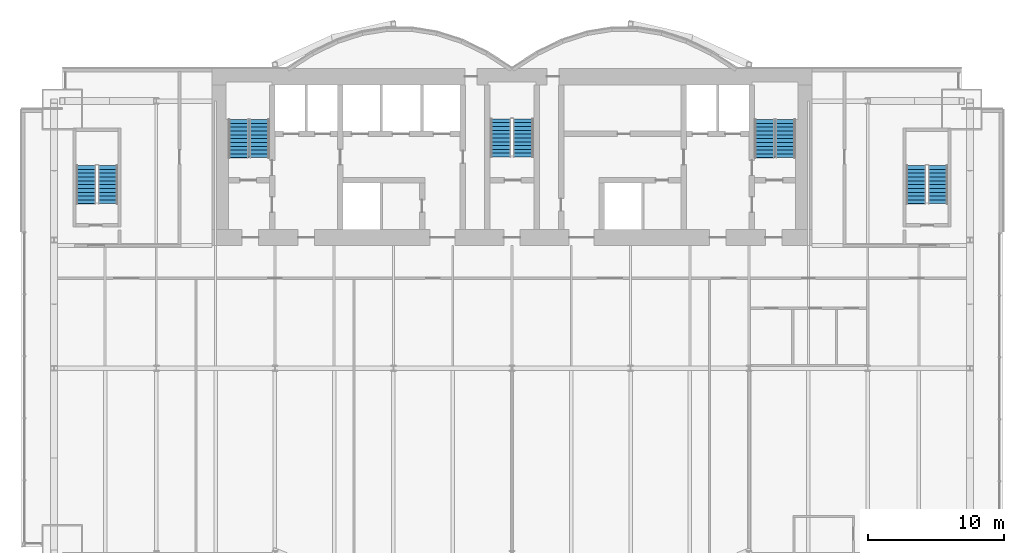
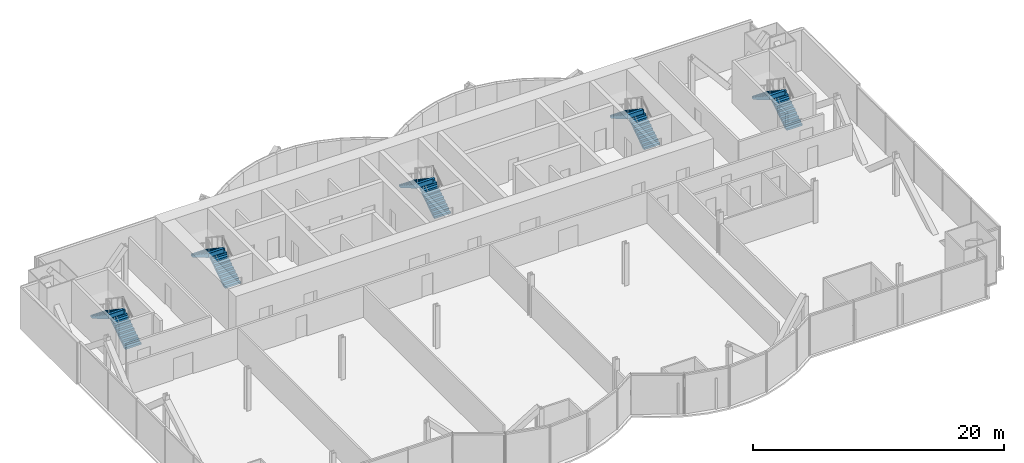
# One storey, part 18 of 21: 10 stair flights, 5 elements without a shape of their own.
"""IFC4 building model written with IfcOpenShell, lengths in metres."""

from ifc_helpers import new_model, si_unit, direction, frame, origin, place, context, subcontext, project, spatial, polyline, outline, extrude, material, type_object, element, aggregate, save


model = new_model("IFC4")

# Units and contexts
model_context = context("Model", 3, precision=1e-05, world=origin(), true_north=direction((0.0, 1.0)))
body_context = subcontext(model_context, "Body", "Model", "MODEL_VIEW")
ifc_project = project(units=[si_unit("LENGTHUNIT", "METRE"), si_unit("AREAUNIT", "SQUARE_METRE"), si_unit("VOLUMEUNIT", "CUBIC_METRE"), si_unit("PLANEANGLEUNIT", "RADIAN"), si_unit("MASSUNIT", "GRAM", prefix="KILO")], contexts=[model_context])

# Site, building, storey
site_placement = place(None, origin())
site = spatial("IfcSite", under=ifc_project, at=site_placement, CompositionType="ELEMENT")
building_placement = place(site_placement, origin())
building = spatial("IfcBuilding", under=site, at=building_placement, Name="Bicima Exchange Tower", CompositionType="ELEMENT")
storey_placement = place(building_placement, frame((0.0, 0.0, 106.300048828125)))
storey = spatial("IfcBuildingStorey", under=building, at=storey_placement, Name="L22", CompositionType="ELEMENT", Elevation=106.300048828125)

# Stair, stair flights
ifc_material = material(Name="Concrete C50/60", Category="concrete")
stair_type_1 = type_object("IfcStairType", Name="Exit stair", PredefinedType="HALF_TURN_STAIR", material=ifc_material)
stair_1_placement = place(storey_placement, origin())
stair_1 = element("IfcStair", 1, at=stair_1_placement, inside=storey, type_object=stair_type_1, Name="L22 West exit stair", PredefinedType="HALF_TURN_STAIR")
stair_flight_type_1 = type_object("IfcStairFlightType", Name="Stair flight RC", PredefinedType="STRAIGHT", material=ifc_material)
stair_flight_1_placement = place(storey_placement, frame((-18.52490234375, -6.550048828125, 0.0), z_axis=(0.0, 0.0, 1.0), x_axis=(0.0, 1.0, 0.0)))
stair_flight_1 = element("IfcStairFlight", 2, at=stair_flight_1_placement, type_object=stair_flight_type_1, Name="ST-W flight 1", NumberOfRisers=11, NumberOfTreads=10, PredefinedType="STRAIGHT", RiserHeight=0.186363636, TreadLength=0.28, context=body_context, shape_type="SweptSolid", body=[
    extrude(outline(polyline([(0.0, 0.0), (0.0, 0.186279296875), (0.280029296875, 0.186279296875), (0.280029296875, 0.372802734375), (0.56005859375, 0.372802734375), (0.56005859375, 0.55908203125), (0.840087890625, 0.55908203125), (0.840087890625, 0.745361328125), (1.1201171875, 0.745361328125), (1.1201171875, 0.931884765625), (1.39990234375, 0.931884765625), (1.39990234375, 1.1181640625), (1.679931640625, 1.1181640625), (1.679931640625, 1.304443359375), (1.9599609375, 1.304443359375), (1.9599609375, 1.490966796875), (2.239990234375, 1.490966796875), (2.239990234375, 1.67724609375), (2.52001953125, 1.67724609375), (2.52001953125, 1.863525390625), (2.800048828125, 1.863525390625), (2.800048828125, 2.050048828125), (2.800048828125, 1.68359375), (0.2705078125, 0.0), (0.0, 0.0)])), frame((0.0, 0.72509765625, 0.0), z_axis=(0.0, -1.0, 0.0), x_axis=(1.0, 0.0, 0.0)), (0.0, 0.0, 1.0), 1.449951171875),
])
stair_flight_2_placement = place(storey_placement, frame((-20.074951171875, -3.75, 2.050048828125), z_axis=(0.0, 0.0, 1.0), x_axis=(0.0, -1.0, 0.0)))
stair_flight_2 = element("IfcStairFlight", 3, at=stair_flight_2_placement, type_object=stair_flight_type_1, Name="ST-W flight 2", NumberOfRisers=11, NumberOfTreads=10, PredefinedType="STRAIGHT", RiserHeight=0.186363636, TreadLength=0.28, context=body_context, shape_type="SweptSolid", body=[
    extrude(outline(polyline([(0.0, 0.0), (0.0, 0.186279296875), (0.280029296875, 0.186279296875), (0.280029296875, 0.372802734375), (0.56005859375, 0.372802734375), (0.56005859375, 0.55908203125), (0.840087890625, 0.55908203125), (0.840087890625, 0.745361328125), (1.1201171875, 0.745361328125), (1.1201171875, 0.931884765625), (1.39990234375, 0.931884765625), (1.39990234375, 1.1181640625), (1.679931640625, 1.1181640625), (1.679931640625, 1.304443359375), (1.9599609375, 1.304443359375), (1.9599609375, 1.490966796875), (2.239990234375, 1.490966796875), (2.239990234375, 1.67724609375), (2.52001953125, 1.67724609375), (2.52001953125, 1.863525390625), (2.800048828125, 1.863525390625), (2.800048828125, 1.904052734375), (2.81494140625, 1.904052734375), (2.81494140625, 1.507080078125), (0.2705078125, 0.0), (0.0, 0.0)])), frame((0.0, 0.72509765625, 0.0), z_axis=(0.0, -1.0, 0.0), x_axis=(1.0, 0.0, 0.0)), (0.0, 0.0, 1.0), 1.449951171875),
])
aggregate(stair_1, [stair_flight_1, stair_flight_2])

stair_2_placement = place(storey_placement, origin())
stair_2 = element("IfcStair", 4, at=stair_2_placement, inside=storey, type_object=stair_type_1, Name="L22 East exit stair", PredefinedType="HALF_TURN_STAIR")
stair_flight_3_placement = place(storey_placement, frame((20.074951171875, -6.550048828125, 0.0), z_axis=(0.0, 0.0, 1.0), x_axis=(0.0, 1.0, 0.0)))
stair_flight_3 = element("IfcStairFlight", 5, at=stair_flight_3_placement, type_object=stair_flight_type_1, Name="ST-E flight 1", NumberOfRisers=11, NumberOfTreads=10, PredefinedType="STRAIGHT", RiserHeight=0.186363636, TreadLength=0.28, context=body_context, shape_type="SweptSolid", body=[
    extrude(outline(polyline([(0.0, 0.0), (0.0, 0.186279296875), (0.280029296875, 0.186279296875), (0.280029296875, 0.372802734375), (0.56005859375, 0.372802734375), (0.56005859375, 0.55908203125), (0.840087890625, 0.55908203125), (0.840087890625, 0.745361328125), (1.1201171875, 0.745361328125), (1.1201171875, 0.931884765625), (1.39990234375, 0.931884765625), (1.39990234375, 1.1181640625), (1.679931640625, 1.1181640625), (1.679931640625, 1.304443359375), (1.9599609375, 1.304443359375), (1.9599609375, 1.490966796875), (2.239990234375, 1.490966796875), (2.239990234375, 1.67724609375), (2.52001953125, 1.67724609375), (2.52001953125, 1.863525390625), (2.800048828125, 1.863525390625), (2.800048828125, 2.050048828125), (2.800048828125, 1.68359375), (0.2705078125, 0.0), (0.0, 0.0)])), frame((0.0, 0.72509765625, 0.0), z_axis=(0.0, -1.0, 0.0), x_axis=(1.0, 0.0, 0.0)), (0.0, 0.0, 1.0), 1.449951171875),
])
stair_flight_4_placement = place(storey_placement, frame((18.52490234375, -3.75, 2.050048828125), z_axis=(0.0, 0.0, 1.0), x_axis=(0.0, -1.0, 0.0)))
stair_flight_4 = element("IfcStairFlight", 6, at=stair_flight_4_placement, type_object=stair_flight_type_1, Name="ST-E flight 2", NumberOfRisers=11, NumberOfTreads=10, PredefinedType="STRAIGHT", RiserHeight=0.186363636, TreadLength=0.28, context=body_context, shape_type="SweptSolid", body=[
    extrude(outline(polyline([(0.0, 0.0), (0.0, 0.186279296875), (0.280029296875, 0.186279296875), (0.280029296875, 0.372802734375), (0.56005859375, 0.372802734375), (0.56005859375, 0.55908203125), (0.840087890625, 0.55908203125), (0.840087890625, 0.745361328125), (1.1201171875, 0.745361328125), (1.1201171875, 0.931884765625), (1.39990234375, 0.931884765625), (1.39990234375, 1.1181640625), (1.679931640625, 1.1181640625), (1.679931640625, 1.304443359375), (1.9599609375, 1.304443359375), (1.9599609375, 1.490966796875), (2.239990234375, 1.490966796875), (2.239990234375, 1.67724609375), (2.52001953125, 1.67724609375), (2.52001953125, 1.863525390625), (2.800048828125, 1.863525390625), (2.800048828125, 1.904052734375), (2.81494140625, 1.904052734375), (2.81494140625, 1.507080078125), (0.2705078125, 0.0), (0.0, 0.0)])), frame((0.0, 0.72509765625, 0.0), z_axis=(0.0, -1.0, 0.0), x_axis=(1.0, 0.0, 0.0)), (0.0, 0.0, 1.0), 1.449951171875),
])
aggregate(stair_2, [stair_flight_3, stair_flight_4])

stair_3_placement = place(storey_placement, origin())
stair_3 = element("IfcStair", 7, at=stair_3_placement, inside=storey, type_object=stair_type_1, Name="L22 West end exit stair", PredefinedType="HALF_TURN_STAIR")
stair_flight_5_placement = place(storey_placement, frame((-29.64990234375, -9.925048828125, 0.0), z_axis=(0.0, 0.0, 1.0), x_axis=(0.0, 1.0, 0.0)))
stair_flight_5 = element("IfcStairFlight", 8, at=stair_flight_5_placement, type_object=stair_flight_type_1, Name="ST-WW flight 1", NumberOfRisers=11, NumberOfTreads=10, PredefinedType="STRAIGHT", RiserHeight=0.186363636, TreadLength=0.28, context=body_context, shape_type="SweptSolid", body=[
    extrude(outline(polyline([(0.0, 0.0), (0.0, 0.186279296875), (0.280029296875, 0.186279296875), (0.280029296875, 0.372802734375), (0.56005859375, 0.372802734375), (0.56005859375, 0.55908203125), (0.840087890625, 0.55908203125), (0.840087890625, 0.745361328125), (1.1201171875, 0.745361328125), (1.1201171875, 0.931884765625), (1.39990234375, 0.931884765625), (1.39990234375, 1.1181640625), (1.679931640625, 1.1181640625), (1.679931640625, 1.304443359375), (1.9599609375, 1.304443359375), (1.9599609375, 1.490966796875), (2.239990234375, 1.490966796875), (2.239990234375, 1.67724609375), (2.52001953125, 1.67724609375), (2.52001953125, 1.863525390625), (2.800048828125, 1.863525390625), (2.800048828125, 2.050048828125), (2.800048828125, 1.68359375), (0.2705078125, 0.0), (0.0, 0.0)])), frame((0.0, 0.72509765625, 0.0), z_axis=(0.0, -1.0, 0.0), x_axis=(1.0, 0.0, 0.0)), (0.0, 0.0, 1.0), 1.449951171875),
])
stair_flight_6_placement = place(storey_placement, frame((-31.25, -7.125, 2.050048828125), z_axis=(0.0, 0.0, 1.0), x_axis=(0.0, -1.0, 0.0)))
stair_flight_6 = element("IfcStairFlight", 9, at=stair_flight_6_placement, type_object=stair_flight_type_1, Name="ST-WW flight 2", NumberOfRisers=11, NumberOfTreads=10, PredefinedType="STRAIGHT", RiserHeight=0.186363636, TreadLength=0.28, context=body_context, shape_type="SweptSolid", body=[
    extrude(outline(polyline([(0.0, 0.0), (0.0, 0.186279296875), (0.280029296875, 0.186279296875), (0.280029296875, 0.372802734375), (0.56005859375, 0.372802734375), (0.56005859375, 0.55908203125), (0.840087890625, 0.55908203125), (0.840087890625, 0.745361328125), (1.1201171875, 0.745361328125), (1.1201171875, 0.931884765625), (1.39990234375, 0.931884765625), (1.39990234375, 1.1181640625), (1.679931640625, 1.1181640625), (1.679931640625, 1.304443359375), (1.9599609375, 1.304443359375), (1.9599609375, 1.490966796875), (2.239990234375, 1.490966796875), (2.239990234375, 1.67724609375), (2.52001953125, 1.67724609375), (2.52001953125, 1.863525390625), (2.800048828125, 1.863525390625), (2.800048828125, 1.904052734375), (2.81494140625, 1.904052734375), (2.81494140625, 1.507080078125), (0.2705078125, 0.0), (0.0, 0.0)])), frame((0.0, 0.72509765625, 0.0), z_axis=(0.0, -1.0, 0.0), x_axis=(1.0, 0.0, 0.0)), (0.0, 0.0, 1.0), 1.449951171875),
])
aggregate(stair_3, [stair_flight_5, stair_flight_6])

stair_4_placement = place(storey_placement, origin())
stair_4 = element("IfcStair", 10, at=stair_4_placement, inside=storey, type_object=stair_type_1, Name="L22 East end exit stair", PredefinedType="HALF_TURN_STAIR")
stair_flight_7_placement = place(storey_placement, frame((31.25, -9.925048828125, 0.0), z_axis=(0.0, 0.0, 1.0), x_axis=(0.0, 1.0, 0.0)))
stair_flight_7 = element("IfcStairFlight", 11, at=stair_flight_7_placement, type_object=stair_flight_type_1, Name="ST-EE flight 1", NumberOfRisers=11, NumberOfTreads=10, PredefinedType="STRAIGHT", RiserHeight=0.186363636, TreadLength=0.28, context=body_context, shape_type="SweptSolid", body=[
    extrude(outline(polyline([(0.0, 0.0), (0.0, 0.186279296875), (0.280029296875, 0.186279296875), (0.280029296875, 0.372802734375), (0.56005859375, 0.372802734375), (0.56005859375, 0.55908203125), (0.840087890625, 0.55908203125), (0.840087890625, 0.745361328125), (1.1201171875, 0.745361328125), (1.1201171875, 0.931884765625), (1.39990234375, 0.931884765625), (1.39990234375, 1.1181640625), (1.679931640625, 1.1181640625), (1.679931640625, 1.304443359375), (1.9599609375, 1.304443359375), (1.9599609375, 1.490966796875), (2.239990234375, 1.490966796875), (2.239990234375, 1.67724609375), (2.52001953125, 1.67724609375), (2.52001953125, 1.863525390625), (2.800048828125, 1.863525390625), (2.800048828125, 2.050048828125), (2.800048828125, 1.68359375), (0.2705078125, 0.0), (0.0, 0.0)])), frame((0.0, 0.72509765625, 0.0), z_axis=(0.0, -1.0, 0.0), x_axis=(1.0, 0.0, 0.0)), (0.0, 0.0, 1.0), 1.449951171875),
])
stair_flight_8_placement = place(storey_placement, frame((29.64990234375, -7.125, 2.050048828125), z_axis=(0.0, 0.0, 1.0), x_axis=(0.0, -1.0, 0.0)))
stair_flight_8 = element("IfcStairFlight", 12, at=stair_flight_8_placement, type_object=stair_flight_type_1, Name="ST-EE flight 2", NumberOfRisers=11, NumberOfTreads=10, PredefinedType="STRAIGHT", RiserHeight=0.186363636, TreadLength=0.28, context=body_context, shape_type="SweptSolid", body=[
    extrude(outline(polyline([(0.0, 0.0), (0.0, 0.186279296875), (0.280029296875, 0.186279296875), (0.280029296875, 0.372802734375), (0.56005859375, 0.372802734375), (0.56005859375, 0.55908203125), (0.840087890625, 0.55908203125), (0.840087890625, 0.745361328125), (1.1201171875, 0.745361328125), (1.1201171875, 0.931884765625), (1.39990234375, 0.931884765625), (1.39990234375, 1.1181640625), (1.679931640625, 1.1181640625), (1.679931640625, 1.304443359375), (1.9599609375, 1.304443359375), (1.9599609375, 1.490966796875), (2.239990234375, 1.490966796875), (2.239990234375, 1.67724609375), (2.52001953125, 1.67724609375), (2.52001953125, 1.863525390625), (2.800048828125, 1.863525390625), (2.800048828125, 1.904052734375), (2.81494140625, 1.904052734375), (2.81494140625, 1.507080078125), (0.2705078125, 0.0), (0.0, 0.0)])), frame((0.0, 0.72509765625, 0.0), z_axis=(0.0, -1.0, 0.0), x_axis=(1.0, 0.0, 0.0)), (0.0, 0.0, 1.0), 1.449951171875),
])
aggregate(stair_4, [stair_flight_7, stair_flight_8])

stair_type_2 = type_object("IfcStairType", Name="Exit stair 1500", PredefinedType="HALF_TURN_STAIR", material=ifc_material)
stair_5_placement = place(storey_placement, origin())
stair_5 = element("IfcStair", 13, at=stair_5_placement, inside=storey, type_object=stair_type_2, Name="L22 Central exit stair", PredefinedType="HALF_TURN_STAIR")
stair_flight_type_2 = type_object("IfcStairFlightType", Name="Stair flight RC 1500", PredefinedType="STRAIGHT", material=ifc_material)
stair_flight_9_placement = place(storey_placement, frame((0.824951171875, -6.5, 0.0), z_axis=(0.0, 0.0, 1.0), x_axis=(0.0, 1.0, 0.0)))
stair_flight_9 = element("IfcStairFlight", 14, at=stair_flight_9_placement, type_object=stair_flight_type_2, Name="ST-C flight 1", NumberOfRisers=11, NumberOfTreads=10, PredefinedType="STRAIGHT", RiserHeight=0.186363636, TreadLength=0.28, context=body_context, shape_type="SweptSolid", body=[
    extrude(outline(polyline([(0.0, 0.0), (0.0, 0.186279296875), (0.280029296875, 0.186279296875), (0.280029296875, 0.372802734375), (0.56005859375, 0.372802734375), (0.56005859375, 0.55908203125), (0.840087890625, 0.55908203125), (0.840087890625, 0.745361328125), (1.1201171875, 0.745361328125), (1.1201171875, 0.931884765625), (1.39990234375, 0.931884765625), (1.39990234375, 1.1181640625), (1.679931640625, 1.1181640625), (1.679931640625, 1.304443359375), (1.9599609375, 1.304443359375), (1.9599609375, 1.490966796875), (2.239990234375, 1.490966796875), (2.239990234375, 1.67724609375), (2.52001953125, 1.67724609375), (2.52001953125, 1.863525390625), (2.800048828125, 1.863525390625), (2.800048828125, 2.050048828125), (2.800048828125, 1.68359375), (0.2705078125, 0.0), (0.0, 0.0)])), frame((0.0, 0.75, 0.0), z_axis=(0.0, -1.0, 0.0), x_axis=(1.0, 0.0, 0.0)), (0.0, 0.0, 1.0), 1.5),
])
stair_flight_10_placement = place(storey_placement, frame((-0.824951171875, -3.699951171875, 2.050048828125), z_axis=(0.0, 0.0, 1.0), x_axis=(0.0, -1.0, 0.0)))
stair_flight_10 = element("IfcStairFlight", 15, at=stair_flight_10_placement, type_object=stair_flight_type_2, Name="ST-C flight 2", NumberOfRisers=11, NumberOfTreads=10, PredefinedType="STRAIGHT", RiserHeight=0.186363636, TreadLength=0.28, context=body_context, shape_type="SweptSolid", body=[
    extrude(outline(polyline([(0.0, 0.0), (0.0, 0.186279296875), (0.280029296875, 0.186279296875), (0.280029296875, 0.372802734375), (0.56005859375, 0.372802734375), (0.56005859375, 0.55908203125), (0.840087890625, 0.55908203125), (0.840087890625, 0.745361328125), (1.1201171875, 0.745361328125), (1.1201171875, 0.931884765625), (1.39990234375, 0.931884765625), (1.39990234375, 1.1181640625), (1.679931640625, 1.1181640625), (1.679931640625, 1.304443359375), (1.9599609375, 1.304443359375), (1.9599609375, 1.490966796875), (2.239990234375, 1.490966796875), (2.239990234375, 1.67724609375), (2.52001953125, 1.67724609375), (2.52001953125, 1.863525390625), (2.800048828125, 1.863525390625), (2.800048828125, 1.904052734375), (2.81494140625, 1.904052734375), (2.81494140625, 1.507080078125), (0.2705078125, 0.0), (0.0, 0.0)])), frame((0.0, 0.75, 0.0), z_axis=(0.0, -1.0, 0.0), x_axis=(1.0, 0.0, 0.0)), (0.0, 0.0, 1.0), 1.5),
])
aggregate(stair_5, [stair_flight_9, stair_flight_10])

save(model, "model.ifc")
